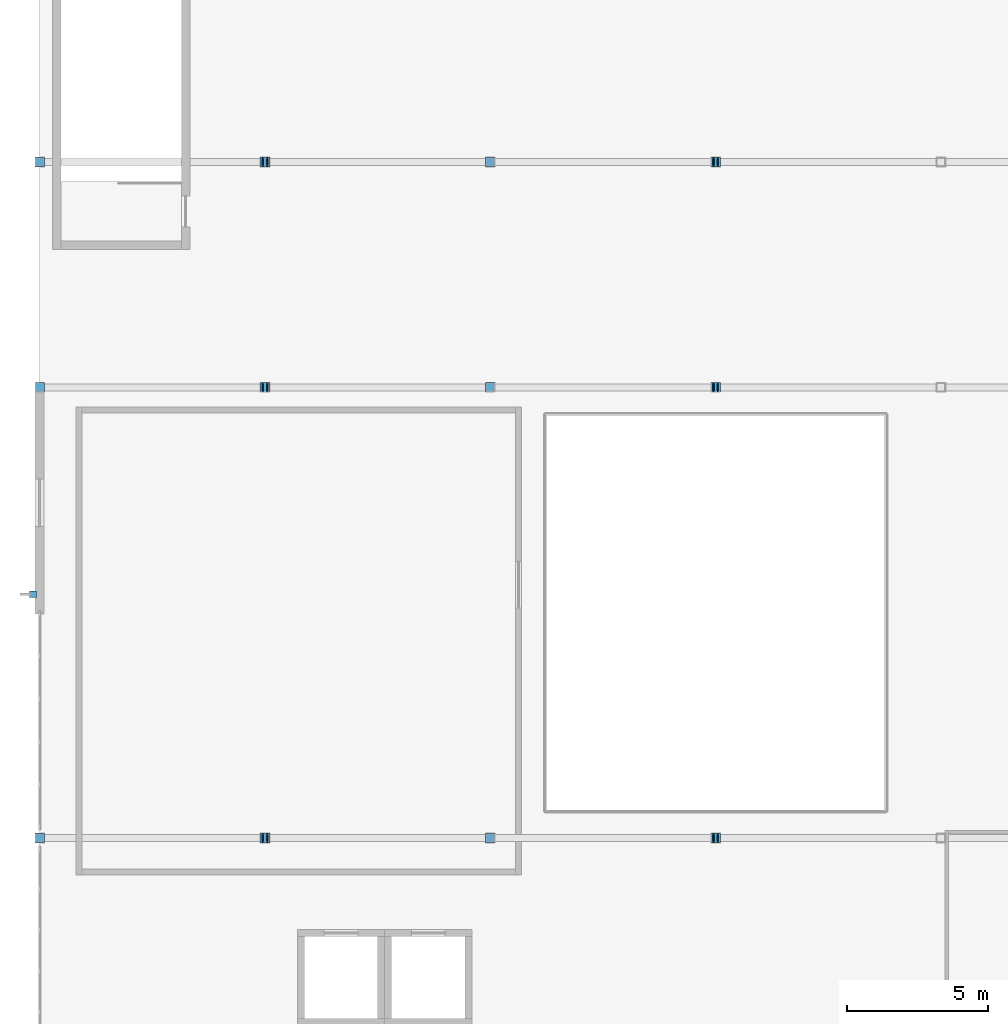
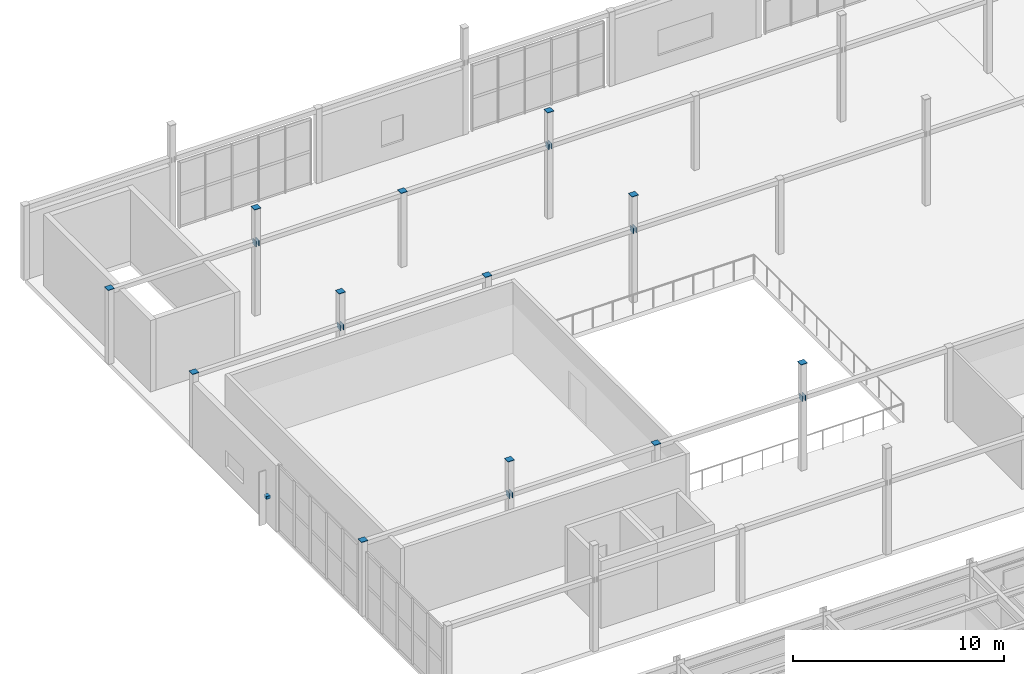
# One storey, part 65 of 83: 25 discrete accessories.
"""IFC4 building model written with IfcOpenShell, lengths in metres."""

from ifc_helpers import new_model, si_unit, direction, frame, origin, origin_2d, place, context, subcontext, project, spatial, rectangle, extrude, material, type_object, element, save


model = new_model("IFC4")

# Units and contexts
model_context = context("Model", 3, precision=1e-05, world=origin(), true_north=direction((0.0, 1.0)))
body_context = subcontext(model_context, "Body", "Model", "MODEL_VIEW")
ifc_project = project(units=[si_unit("LENGTHUNIT", "METRE"), si_unit("AREAUNIT", "SQUARE_METRE"), si_unit("VOLUMEUNIT", "CUBIC_METRE"), si_unit("PLANEANGLEUNIT", "RADIAN"), si_unit("MASSUNIT", "GRAM", prefix="KILO")], contexts=[model_context])

# Site, building, storey
site_placement = place(None, origin())
site = spatial("IfcSite", under=ifc_project, at=site_placement, CompositionType="ELEMENT")
building_placement = place(site_placement, origin())
building = spatial("IfcBuilding", under=site, at=building_placement, Name="Drelvath Fold Interchange", CompositionType="ELEMENT")
storey_placement = place(building_placement, frame((0.0, 0.0, 11.199951171875)))
storey = spatial("IfcBuildingStorey", under=building, at=storey_placement, Name="L02", CompositionType="ELEMENT", Elevation=11.199951171875)

# Discrete accessories
ifc_material_1 = material(Name="Stainless Steel 316L", Category="steel")
discrete_accessory_type_1 = type_object("IfcDiscreteAccessoryType", Name="AC-BRK220", PredefinedType="BRACKET", material=ifc_material_1)
discrete_accessory_placement = place(storey_placement, frame((3.762939453125, 75.655029296875, 1.5703125), z_axis=(0.0, 0.0, 1.0), x_axis=(1.0, 0.0, 0.0)))
element("IfcDiscreteAccessory", 1, at=discrete_accessory_placement, inside=storey, type_object=discrete_accessory_type_1, Name="Solar fin bracket 4", PredefinedType="BRACKET", context=body_context, shape_type="SweptSolid", body=[
    extrude(rectangle(XDim=0.239990234375, YDim=0.239990234375, at=origin_2d()), origin(), (0.0, 0.0, 1.0), 0.159912109375),
])
ifc_material_2 = material(Name="Steel ASTM A572 Grade 50", Category="steel")
discrete_accessory_type_2 = type_object("IfcDiscreteAccessoryType", Name="AC-CAP380", PredefinedType="BRACKET", material=ifc_material_2)
for number, where, z_axis, x_axis, name in (
    (2, (4.0, 67.0, 4.2900390625), (0.0, 0.0, 1.0), (1.0, 0.0, 0.0), "Welded hollow column end cap 36"),
    (3, (4.0, 83.0, 4.2900390625), (0.0, 0.0, 1.0), (1.0, 0.0, 0.0), "Welded hollow column end cap 37"),
    (4, (4.0, 91.0, 4.2900390625), (0.0, 0.0, 1.0), (1.0, 0.0, 0.0), "Welded hollow column end cap 38"),
    (5, (12.0, 67.0, 6.14013671875), (0.0, 0.0, 1.0), (1.0, 0.0, 0.0), "Welded hollow column end cap 41"),
    (6, (12.0, 83.0, 6.14013671875), (0.0, 0.0, 1.0), (1.0, 0.0, 0.0), "Welded hollow column end cap 42"),
    (7, (12.0, 91.0, 6.14013671875), (0.0, 0.0, 1.0), (1.0, 0.0, 0.0), "Welded hollow column end cap 43"),
    (8, (20.0, 67.0, 4.2900390625), (0.0, 0.0, 1.0), (1.0, 0.0, 0.0), "Welded hollow column end cap 46"),
    (9, (20.0, 83.0, 4.2900390625), (0.0, 0.0, 1.0), (1.0, 0.0, 0.0), "Welded hollow column end cap 47"),
    (10, (20.0, 91.0, 4.2900390625), (0.0, 0.0, 1.0), (1.0, 0.0, 0.0), "Welded hollow column end cap 48"),
    (11, (28.0, 67.0, 6.14013671875), (0.0, 0.0, 1.0), (1.0, 0.0, 0.0), "Welded hollow column end cap 51"),
    (12, (28.0, 83.0, 6.14013671875), (0.0, 0.0, 1.0), (1.0, 0.0, 0.0), "Welded hollow column end cap 52"),
    (13, (28.0, 91.0, 6.14013671875), (0.0, 0.0, 1.0), (1.0, 0.0, 0.0), "Welded hollow column end cap 53"),
):
    element("IfcDiscreteAccessory", number, at=place(storey_placement, frame(where, z_axis=z_axis, x_axis=x_axis)), inside=storey, type_object=discrete_accessory_type_2, Name=name, PredefinedType="BRACKET", context=body_context, shape_type="SweptSolid", body=[
        extrude(rectangle(XDim=0.344970703125, YDim=0.344970703125, at=origin_2d()), origin(), (0.0, 0.0, 1.0), 0.030029296875),
    ])
for number, where, z_axis, x_axis, name in (
    (14, (11.925048828125, 67.0, 3.9931640625), (0.0, 0.0, 1.0), (1.0, 0.0, 0.0), "Welded hollow member end cap 292"),
    (15, (11.925048828125, 83.0, 3.9931640625), (0.0, 0.0, 1.0), (1.0, 0.0, 0.0), "Welded hollow member end cap 295"),
    (16, (11.925048828125, 91.0, 3.9931640625), (0.0, 0.0, 1.0), (1.0, 0.0, 0.0), "Welded hollow member end cap 298"),
    (17, (12.074951171875, 67.0, 3.9931640625), (0.0, 0.0, 1.0), (1.0, 0.0, 0.0), "Welded hollow member end cap 316"),
    (18, (12.074951171875, 83.0, 3.9931640625), (0.0, 0.0, 1.0), (1.0, 0.0, 0.0), "Welded hollow member end cap 318"),
    (19, (12.074951171875, 91.0, 3.9931640625), (0.0, 0.0, 1.0), (1.0, 0.0, 0.0), "Welded hollow member end cap 320"),
    (20, (27.925048828125, 67.0, 3.9931640625), (0.0, 0.0, 1.0), (1.0, 0.0, 0.0), "Welded hollow member end cap 337"),
    (21, (27.925048828125, 83.0, 3.9931640625), (0.0, 0.0, 1.0), (1.0, 0.0, 0.0), "Welded hollow member end cap 340"),
    (22, (27.925048828125, 91.0, 3.9931640625), (0.0, 0.0, 1.0), (1.0, 0.0, 0.0), "Welded hollow member end cap 343"),
    (23, (28.074951171875, 67.0, 3.9931640625), (0.0, 0.0, 1.0), (1.0, 0.0, 0.0), "Welded hollow member end cap 361"),
    (24, (28.074951171875, 83.0, 3.9931640625), (0.0, 0.0, 1.0), (1.0, 0.0, 0.0), "Welded hollow member end cap 363"),
    (25, (28.074951171875, 91.0, 3.9931640625), (0.0, 0.0, 1.0), (1.0, 0.0, 0.0), "Welded hollow member end cap 365"),
):
    element("IfcDiscreteAccessory", number, at=place(storey_placement, frame(where, z_axis=z_axis, x_axis=x_axis)), inside=storey, type_object=discrete_accessory_type_2, Name=name, PredefinedType="BRACKET", context=body_context, shape_type="SweptSolid", body=[
        extrude(rectangle(XDim=0.0400390625, YDim=0.31396484375, at=origin_2d()), origin(), (0.0, 0.0, 1.0), 0.31396484375),
    ])

save(model, "model.ifc")
